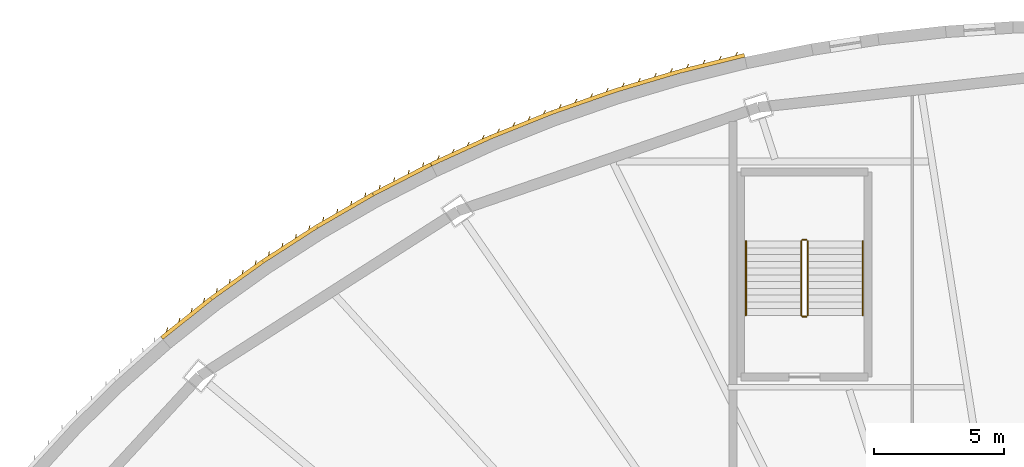
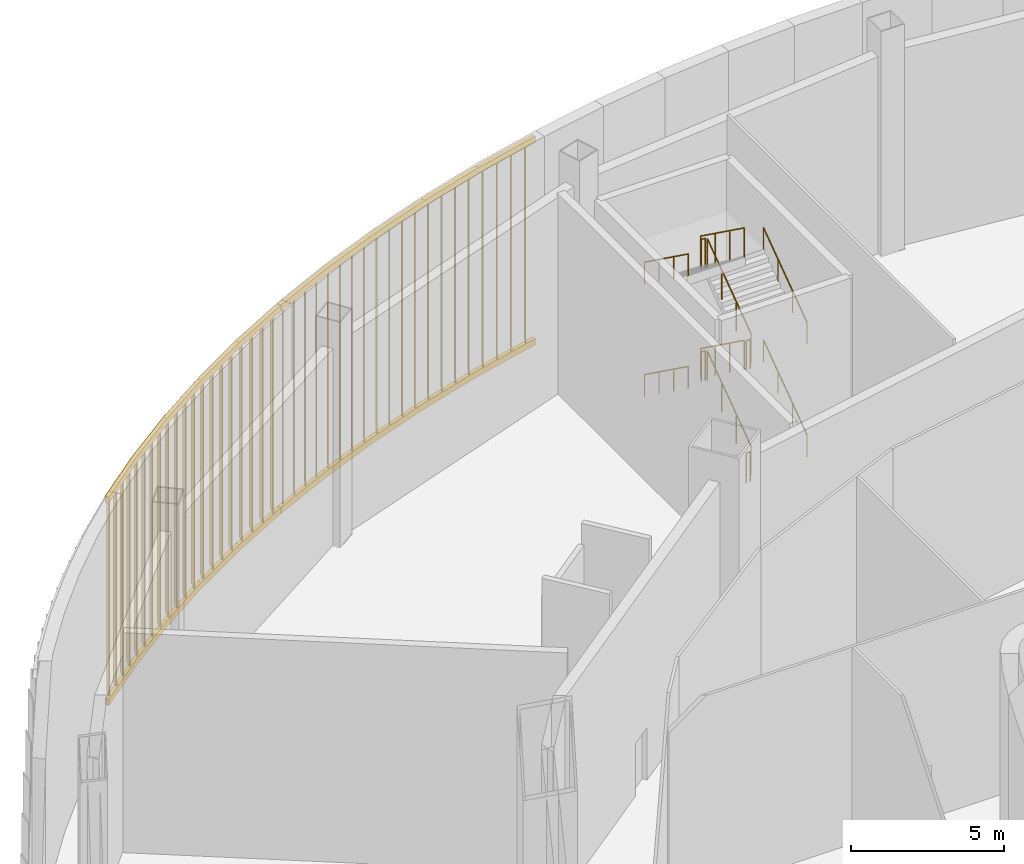
# One storey, part 33 of 35: 12 railings, 2 shading devices.
"""IFC4 building model written with IfcOpenShell, lengths in metres."""

from ifc_helpers import new_model, si_unit, direction, frame, origin, origin_2d, place, context, subcontext, project, spatial, rectangle, circle, extrude, material, type_object, element, save


model = new_model("IFC4")

# Units and contexts
model_context = context("Model", 3, precision=1e-05, world=origin(), true_north=direction((0.0, 1.0)))
body_context = subcontext(model_context, "Body", "Model", "MODEL_VIEW")
ifc_project = project(units=[si_unit("LENGTHUNIT", "METRE"), si_unit("AREAUNIT", "SQUARE_METRE"), si_unit("VOLUMEUNIT", "CUBIC_METRE"), si_unit("PLANEANGLEUNIT", "RADIAN"), si_unit("MASSUNIT", "GRAM", prefix="KILO")], contexts=[model_context])

# Site, building, storey
site_placement = place(None, origin())
site = spatial("IfcSite", under=ifc_project, at=site_placement, CompositionType="ELEMENT")
building_placement = place(site_placement, origin())
building = spatial("IfcBuilding", under=site, at=building_placement, Name="Sahrelin Media Tower", CompositionType="ELEMENT")
storey_placement = place(building_placement, frame((0.0, 0.0, 8.0)))
storey = spatial("IfcBuildingStorey", under=building, at=storey_placement, Name="L01", CompositionType="ELEMENT", Elevation=8.0)

# Railings
ifc_material_1 = material(Name="Steel S355", Category="steel")
railing_type_1 = type_object("IfcRailingType", Name="Stair guard 1200", PredefinedType="GUARDRAIL", material=ifc_material_1)
railing_1_placement = place(storey_placement, frame((-10.52490234375, 30.625, 0.1875)))
element("IfcRailing", 1, at=railing_1_placement, inside=storey, type_object=railing_type_1, Name="L01 PS2 stair guard 1", PredefinedType="GUARDRAIL", context=body_context, shape_type="SweptSolid", body=[
    extrude(circle(Radius=0.02392578125, at=origin_2d()), frame((0.0, 0.0, 1.17578125), z_axis=(0.0, 0.811100754333, 0.584906459462), x_axis=(-1.0, 0.0, 0.0)), (0.0, 0.0, 1.0), 3.526123046875),
    extrude(circle(Radius=0.02099609375, at=origin_2d()), origin(), (0.0, 0.0, 1.0), 1.15185546875),
    extrude(circle(Radius=0.02099609375, at=origin_2d()), frame((0.0, 0.953369140625, 0.6875)), (0.0, 0.0, 1.0), 1.15185546875),
    extrude(circle(Radius=0.02099609375, at=origin_2d()), frame((0.0, 1.90673828125, 1.375)), (0.0, 0.0, 1.0), 1.15185546875),
    extrude(circle(Radius=0.02099609375, at=origin_2d()), frame((0.0, 2.860107421875, 2.0625)), (0.0, 0.0, 1.0), 1.15185546875),
])
railing_2_placement = place(storey_placement, frame((-10.574951171875, 33.534912109375, 2.25)))
element("IfcRailing", 2, at=railing_2_placement, inside=storey, type_object=railing_type_1, Name="L01 PS2 stair guard 2", PredefinedType="GUARDRAIL", context=body_context, shape_type="SweptSolid", body=[
    extrude(circle(Radius=0.02392578125, at=origin_2d()), frame((0.0, 0.0, 1.17578125), z_axis=(-1.0, 0.0, 0.0), x_axis=(0.0, -1.0, 0.0)), (0.0, 0.0, 1.0), 0.150146484375),
    extrude(circle(Radius=0.02099609375, at=origin_2d()), origin(), (0.0, 0.0, 1.0), 1.15185546875),
    extrude(circle(Radius=0.02099609375, at=origin_2d()), frame((-0.150146484375, 0.0, 0.0)), (0.0, 0.0, 1.0), 1.15185546875),
])
railing_3_placement = place(storey_placement, frame((-10.77490234375, 33.485107421875, 2.4375)))
element("IfcRailing", 3, at=railing_3_placement, inside=storey, type_object=railing_type_1, Name="L01 PS2 stair guard 3", PredefinedType="GUARDRAIL", context=body_context, shape_type="SweptSolid", body=[
    extrude(circle(Radius=0.02392578125, at=origin_2d()), frame((0.0, 0.0, 1.17578125), z_axis=(0.0, -0.811100754333, 0.584906459462), x_axis=(1.0, 0.0, 0.0)), (0.0, 0.0, 1.0), 3.526123046875),
    extrude(circle(Radius=0.02099609375, at=origin_2d()), origin(), (0.0, 0.0, 1.0), 1.15185546875),
    extrude(circle(Radius=0.02099609375, at=origin_2d()), frame((0.0, -0.953369140625, 0.6875)), (0.0, 0.0, 1.0), 1.15185546875),
    extrude(circle(Radius=0.02099609375, at=origin_2d()), frame((0.0, -1.90673828125, 1.375)), (0.0, 0.0, 1.0), 1.15185546875),
    extrude(circle(Radius=0.02099609375, at=origin_2d()), frame((0.0, -2.860107421875, 2.0625)), (0.0, 0.0, 1.0), 1.15185546875),
])
railing_4_placement = place(storey_placement, frame((-10.574951171875, 30.574951171875, 4.5)))
element("IfcRailing", 4, at=railing_4_placement, inside=storey, type_object=railing_type_1, Name="L01 PS2 stair guard 4", PredefinedType="GUARDRAIL", context=body_context, shape_type="SweptSolid", body=[
    extrude(circle(Radius=0.02392578125, at=origin_2d()), frame((0.0, 0.0, 1.17578125), z_axis=(-1.0, 0.0, 0.0), x_axis=(0.0, -1.0, 0.0)), (0.0, 0.0, 1.0), 0.150146484375),
    extrude(circle(Radius=0.02099609375, at=origin_2d()), origin(), (0.0, 0.0, 1.0), 1.15185546875),
    extrude(circle(Radius=0.02099609375, at=origin_2d()), frame((-0.150146484375, 0.0, 0.0)), (0.0, 0.0, 1.0), 1.15185546875),
])
railing_5_placement = place(storey_placement, frame((-10.52490234375, 30.625, 4.6875)))
element("IfcRailing", 5, at=railing_5_placement, inside=storey, type_object=railing_type_1, Name="L01 PS2 stair guard 5", PredefinedType="GUARDRAIL", context=body_context, shape_type="SweptSolid", body=[
    extrude(circle(Radius=0.02392578125, at=origin_2d()), frame((0.0, 0.0, 1.17578125), z_axis=(0.0, 0.811100754333, 0.584906459462), x_axis=(-1.0, 0.0, 0.0)), (0.0, 0.0, 1.0), 3.526123046875),
    extrude(circle(Radius=0.02099609375, at=origin_2d()), origin(), (0.0, 0.0, 1.0), 1.15185546875),
    extrude(circle(Radius=0.02099609375, at=origin_2d()), frame((0.0, 0.953369140625, 0.6875)), (0.0, 0.0, 1.0), 1.15185546875),
    extrude(circle(Radius=0.02099609375, at=origin_2d()), frame((0.0, 1.90673828125, 1.375)), (0.0, 0.0, 1.0), 1.15185546875),
    extrude(circle(Radius=0.02099609375, at=origin_2d()), frame((0.0, 2.860107421875, 2.0625)), (0.0, 0.0, 1.0), 1.15185546875),
])
railing_6_placement = place(storey_placement, frame((-10.574951171875, 33.534912109375, 6.75)))
element("IfcRailing", 6, at=railing_6_placement, inside=storey, type_object=railing_type_1, Name="L01 PS2 stair guard 6", PredefinedType="GUARDRAIL", context=body_context, shape_type="SweptSolid", body=[
    extrude(circle(Radius=0.02392578125, at=origin_2d()), frame((0.0, 0.0, 1.17578125), z_axis=(-1.0, 0.0, 0.0), x_axis=(0.0, -1.0, 0.0)), (0.0, 0.0, 1.0), 0.150146484375),
    extrude(circle(Radius=0.02099609375, at=origin_2d()), origin(), (0.0, 0.0, 1.0), 1.15185546875),
    extrude(circle(Radius=0.02099609375, at=origin_2d()), frame((-0.150146484375, 0.0, 0.0)), (0.0, 0.0, 1.0), 1.15185546875),
])
railing_7_placement = place(storey_placement, frame((-10.77490234375, 33.485107421875, 6.9375)))
element("IfcRailing", 7, at=railing_7_placement, inside=storey, type_object=railing_type_1, Name="L01 PS2 stair guard 7", PredefinedType="GUARDRAIL", context=body_context, shape_type="SweptSolid", body=[
    extrude(circle(Radius=0.02392578125, at=origin_2d()), frame((0.0, 0.0, 1.17578125), z_axis=(0.0, -0.811100754333, 0.584906459462), x_axis=(1.0, 0.0, 0.0)), (0.0, 0.0, 1.0), 3.526123046875),
    extrude(circle(Radius=0.02099609375, at=origin_2d()), origin(), (0.0, 0.0, 1.0), 1.15185546875),
    extrude(circle(Radius=0.02099609375, at=origin_2d()), frame((0.0, -0.953369140625, 0.6875)), (0.0, 0.0, 1.0), 1.15185546875),
    extrude(circle(Radius=0.02099609375, at=origin_2d()), frame((0.0, -1.90673828125, 1.375)), (0.0, 0.0, 1.0), 1.15185546875),
    extrude(circle(Radius=0.02099609375, at=origin_2d()), frame((0.0, -2.860107421875, 2.0625)), (0.0, 0.0, 1.0), 1.15185546875),
])
railing_8_placement = place(storey_placement, frame((-10.574951171875, 30.574951171875, 0.0)))
element("IfcRailing", 8, at=railing_8_placement, inside=storey, type_object=railing_type_1, Name="L01 PS2 stair guard 8", PredefinedType="GUARDRAIL", context=body_context, shape_type="SweptSolid", body=[
    extrude(circle(Radius=0.02392578125, at=origin_2d()), frame((0.0, 0.0, 1.17578125), z_axis=(-1.0, 0.0, 0.0), x_axis=(0.0, -1.0, 0.0)), (0.0, 0.0, 1.0), 0.150146484375),
    extrude(circle(Radius=0.02099609375, at=origin_2d()), origin(), (0.0, 0.0, 1.0), 1.15185546875),
    extrude(circle(Radius=0.02099609375, at=origin_2d()), frame((-0.150146484375, 0.0, 0.0)), (0.0, 0.0, 1.0), 1.15185546875),
])
railing_type_2 = type_object("IfcRailingType", Name="Stair handrail 900", PredefinedType="HANDRAIL", material=ifc_material_1)
railing_9_placement = place(storey_placement, frame((-8.39990234375, 30.625, 0.1875)))
element("IfcRailing", 9, at=railing_9_placement, inside=storey, type_object=railing_type_2, Name="L01 PS2 stair handrail 1", PredefinedType="HANDRAIL", context=body_context, shape_type="SweptSolid", body=[
    extrude(circle(Radius=0.02392578125, at=origin_2d()), frame((0.0, 0.0, 0.8759765625), z_axis=(0.0, 0.811100754333, 0.584906459462), x_axis=(-1.0, 0.0, 0.0)), (0.0, 0.0, 1.0), 3.526123046875),
    extrude(circle(Radius=0.02099609375, at=origin_2d()), origin(), (0.0, 0.0, 1.0), 0.851806640625),
    extrude(circle(Radius=0.02099609375, at=origin_2d()), frame((0.0, 0.953369140625, 0.6875)), (0.0, 0.0, 1.0), 0.851806640625),
    extrude(circle(Radius=0.02099609375, at=origin_2d()), frame((0.0, 1.90673828125, 1.375)), (0.0, 0.0, 1.0), 0.851806640625),
    extrude(circle(Radius=0.02099609375, at=origin_2d()), frame((0.0, 2.860107421875, 2.0625)), (0.0, 0.0, 1.0), 0.851806640625),
])
railing_10_placement = place(storey_placement, frame((-12.89990234375, 33.485107421875, 2.4375)))
element("IfcRailing", 10, at=railing_10_placement, inside=storey, type_object=railing_type_2, Name="L01 PS2 stair handrail 2", PredefinedType="HANDRAIL", context=body_context, shape_type="SweptSolid", body=[
    extrude(circle(Radius=0.02392578125, at=origin_2d()), frame((0.0, 0.0, 0.8759765625), z_axis=(0.0, -0.811100754333, 0.584906459462), x_axis=(1.0, 0.0, 0.0)), (0.0, 0.0, 1.0), 3.526123046875),
    extrude(circle(Radius=0.02099609375, at=origin_2d()), origin(), (0.0, 0.0, 1.0), 0.851806640625),
    extrude(circle(Radius=0.02099609375, at=origin_2d()), frame((0.0, -0.953369140625, 0.6875)), (0.0, 0.0, 1.0), 0.851806640625),
    extrude(circle(Radius=0.02099609375, at=origin_2d()), frame((0.0, -1.90673828125, 1.375)), (0.0, 0.0, 1.0), 0.851806640625),
    extrude(circle(Radius=0.02099609375, at=origin_2d()), frame((0.0, -2.860107421875, 2.0625)), (0.0, 0.0, 1.0), 0.851806640625),
])
railing_11_placement = place(storey_placement, frame((-8.39990234375, 30.625, 4.6875)))
element("IfcRailing", 11, at=railing_11_placement, inside=storey, type_object=railing_type_2, Name="L01 PS2 stair handrail 3", PredefinedType="HANDRAIL", context=body_context, shape_type="SweptSolid", body=[
    extrude(circle(Radius=0.02392578125, at=origin_2d()), frame((0.0, 0.0, 0.8759765625), z_axis=(0.0, 0.811100754333, 0.584906459462), x_axis=(-1.0, 0.0, 0.0)), (0.0, 0.0, 1.0), 3.526123046875),
    extrude(circle(Radius=0.02099609375, at=origin_2d()), origin(), (0.0, 0.0, 1.0), 0.851806640625),
    extrude(circle(Radius=0.02099609375, at=origin_2d()), frame((0.0, 0.953369140625, 0.6875)), (0.0, 0.0, 1.0), 0.851806640625),
    extrude(circle(Radius=0.02099609375, at=origin_2d()), frame((0.0, 1.90673828125, 1.375)), (0.0, 0.0, 1.0), 0.851806640625),
    extrude(circle(Radius=0.02099609375, at=origin_2d()), frame((0.0, 2.860107421875, 2.0625)), (0.0, 0.0, 1.0), 0.851806640625),
])
railing_12_placement = place(storey_placement, frame((-12.89990234375, 33.485107421875, 6.9375)))
element("IfcRailing", 12, at=railing_12_placement, inside=storey, type_object=railing_type_2, Name="L01 PS2 stair handrail 4", PredefinedType="HANDRAIL", context=body_context, shape_type="SweptSolid", body=[
    extrude(circle(Radius=0.02392578125, at=origin_2d()), frame((0.0, 0.0, 0.8759765625), z_axis=(0.0, -0.811100754333, 0.584906459462), x_axis=(1.0, 0.0, 0.0)), (0.0, 0.0, 1.0), 3.526123046875),
    extrude(circle(Radius=0.02099609375, at=origin_2d()), origin(), (0.0, 0.0, 1.0), 0.851806640625),
    extrude(circle(Radius=0.02099609375, at=origin_2d()), frame((0.0, -0.953369140625, 0.6875)), (0.0, 0.0, 1.0), 0.851806640625),
    extrude(circle(Radius=0.02099609375, at=origin_2d()), frame((0.0, -1.90673828125, 1.375)), (0.0, 0.0, 1.0), 0.851806640625),
    extrude(circle(Radius=0.02099609375, at=origin_2d()), frame((0.0, -2.860107421875, 2.0625)), (0.0, 0.0, 1.0), 0.851806640625),
])

# Shading devices
ifc_material_2 = material(Name="Champagne anodised aluminium 6063-T6", Category="aluminium")
shading_device_type = type_object("IfcShadingDeviceType", Name="Studio facade screen", PredefinedType="USERDEFINED", material=ifc_material_2)
shading_device_1_placement = place(storey_placement, frame((-12.94091796875, 40.56884765625, 0.0), z_axis=(0.0, 0.0, 1.0), x_axis=(0.944472511528, 0.328590436515, 0.0)))
element("IfcShadingDevice", 13, at=shading_device_1_placement, inside=storey, type_object=shading_device_type, Name="L01:SCREEN:L01-P07", ObjectType="SCREEN", PredefinedType="USERDEFINED", context=body_context, shape_type="SweptSolid", body=[
    extrude(rectangle(XDim=0.14990234375, YDim=0.25, at=origin_2d()), frame((0.0068359375, 0.07470703125, 0.35009765625), z_axis=(-0.995868409854, 0.090808095761, 0.0), x_axis=(-0.090808095761, -0.995868409854, 0.0)), (0.0, 0.0, 1.0), 2.58642578125),
    extrude(rectangle(XDim=0.14990234375, YDim=0.25, at=origin_2d()), frame((0.0068359375, 0.07470703125, 8.449951171875), z_axis=(-0.995868409854, 0.090808095761, 0.0), x_axis=(-0.090808095761, -0.995868409854, 0.0)), (0.0, 0.0, 1.0), 2.58642578125),
    extrude(rectangle(XDim=0.300048828125, YDim=0.0400390625, at=origin_2d()), frame((-0.308349609375, 0.1787109375, 0.47509765625), z_axis=(0.0, 0.0, 1.0), x_axis=(0.707106781187, 0.707106781187, 0.0)), (0.0, 0.0, 1.0), 7.849853515625),
    extrude(rectangle(XDim=0.300048828125, YDim=0.0400390625, at=origin_2d()), frame((-0.9521484375, 0.237548828125, 0.47509765625), z_axis=(0.0, 0.0, 1.0), x_axis=(0.707106781187, 0.707106781187, 0.0)), (0.0, 0.0, 1.0), 7.849853515625),
    extrude(rectangle(XDim=0.300048828125, YDim=0.0400390625, at=origin_2d()), frame((-1.59619140625, 0.296142578125, 0.47509765625), z_axis=(0.0, 0.0, 1.0), x_axis=(0.707106781187, 0.707106781187, 0.0)), (0.0, 0.0, 1.0), 7.849853515625),
    extrude(rectangle(XDim=0.300048828125, YDim=0.0400390625, at=origin_2d()), frame((-2.239990234375, 0.35498046875, 0.47509765625), z_axis=(0.0, 0.0, 1.0), x_axis=(0.707106781187, 0.707106781187, 0.0)), (0.0, 0.0, 1.0), 7.849853515625),
    extrude(rectangle(XDim=0.14990234375, YDim=0.25, at=origin_2d()), frame((-2.572265625, 0.309814453125, 0.35009765625), z_axis=(-0.998954807811, 0.045708773245, 0.0), x_axis=(-0.045708773245, -0.998954807811, 0.0)), (0.0, 0.0, 1.0), 2.574462890625),
    extrude(rectangle(XDim=0.14990234375, YDim=0.25, at=origin_2d()), frame((-2.572265625, 0.309814453125, 8.449951171875), z_axis=(-0.998954807811, 0.045708773245, 0.0), x_axis=(-0.045708773245, -0.998954807811, 0.0)), (0.0, 0.0, 1.0), 2.574462890625),
    extrude(rectangle(XDim=0.300048828125, YDim=0.0400390625, at=origin_2d()), frame((-2.890380859375, 0.3994140625, 0.47509765625), z_axis=(0.0, 0.0, 1.0), x_axis=(0.707106781187, 0.707106781187, 0.0)), (0.0, 0.0, 1.0), 7.849853515625),
    extrude(rectangle(XDim=0.300048828125, YDim=0.0400390625, at=origin_2d()), frame((-3.533203125, 0.428955078125, 0.47509765625), z_axis=(0.0, 0.0, 1.0), x_axis=(0.707106781187, 0.707106781187, 0.0)), (0.0, 0.0, 1.0), 7.849853515625),
    extrude(rectangle(XDim=0.300048828125, YDim=0.0400390625, at=origin_2d()), frame((-4.176025390625, 0.458251953125, 0.47509765625), z_axis=(0.0, 0.0, 1.0), x_axis=(0.707106781187, 0.707106781187, 0.0)), (0.0, 0.0, 1.0), 7.849853515625),
    extrude(rectangle(XDim=0.300048828125, YDim=0.0400390625, at=origin_2d()), frame((-4.819091796875, 0.48779296875, 0.47509765625), z_axis=(0.0, 0.0, 1.0), x_axis=(0.707106781187, 0.707106781187, 0.0)), (0.0, 0.0, 1.0), 7.849853515625),
    extrude(rectangle(XDim=0.14990234375, YDim=0.25, at=origin_2d()), frame((-5.1474609375, 0.427490234375, 0.35009765625), z_axis=(-1.0, 0.0, 0.0), x_axis=(0.0, -1.0, 0.0)), (0.0, 0.0, 1.0), 2.560546875),
    extrude(rectangle(XDim=0.14990234375, YDim=0.25, at=origin_2d()), frame((-5.1474609375, 0.427490234375, 8.449951171875), z_axis=(-1.0, 0.0, 0.0), x_axis=(0.0, -1.0, 0.0)), (0.0, 0.0, 1.0), 2.560546875),
    extrude(rectangle(XDim=0.300048828125, YDim=0.0400390625, at=origin_2d()), frame((-5.467529296875, 0.502685546875, 0.47509765625), z_axis=(0.0, 0.0, 1.0), x_axis=(0.707106781187, 0.707106781187, 0.0)), (0.0, 0.0, 1.0), 7.849853515625),
    extrude(rectangle(XDim=0.300048828125, YDim=0.0400390625, at=origin_2d()), frame((-6.107666015625, 0.502685546875, 0.47509765625), z_axis=(0.0, 0.0, 1.0), x_axis=(0.707106781187, 0.707106781187, 0.0)), (0.0, 0.0, 1.0), 7.849853515625),
    extrude(rectangle(XDim=0.300048828125, YDim=0.0400390625, at=origin_2d()), frame((-6.747802734375, 0.502685546875, 0.47509765625), z_axis=(0.0, 0.0, 1.0), x_axis=(0.707106781187, 0.707106781187, 0.0)), (0.0, 0.0, 1.0), 7.849853515625),
    extrude(rectangle(XDim=0.300048828125, YDim=0.0400390625, at=origin_2d()), frame((-7.387939453125, 0.502685546875, 0.47509765625), z_axis=(0.0, 0.0, 1.0), x_axis=(0.707106781187, 0.707106781187, 0.0)), (0.0, 0.0, 1.0), 7.849853515625),
    extrude(rectangle(XDim=0.14990234375, YDim=0.25, at=origin_2d()), frame((-7.71142578125, 0.427490234375, 0.35009765625), z_axis=(-0.998930620484, -0.046234353666, 0.0), x_axis=(0.046234353666, -0.998930620484, 0.0)), (0.0, 0.0, 1.0), 2.545166015625),
    extrude(rectangle(XDim=0.14990234375, YDim=0.25, at=origin_2d()), frame((-7.71142578125, 0.427490234375, 8.449951171875), z_axis=(-0.998930620484, -0.046234353666, 0.0), x_axis=(0.046234353666, -0.998930620484, 0.0)), (0.0, 0.0, 1.0), 2.545166015625),
    extrude(rectangle(XDim=0.300048828125, YDim=0.0400390625, at=origin_2d()), frame((-8.03271484375, 0.48779296875, 0.47509765625), z_axis=(0.0, 0.0, 1.0), x_axis=(0.707106781187, 0.707106781187, 0.0)), (0.0, 0.0, 1.0), 7.849853515625),
    extrude(rectangle(XDim=0.300048828125, YDim=0.0400390625, at=origin_2d()), frame((-8.66845703125, 0.458251953125, 0.47509765625), z_axis=(0.0, 0.0, 1.0), x_axis=(0.707106781187, 0.707106781187, 0.0)), (0.0, 0.0, 1.0), 7.849853515625),
    extrude(rectangle(XDim=0.300048828125, YDim=0.0400390625, at=origin_2d()), frame((-9.303955078125, 0.428955078125, 0.47509765625), z_axis=(0.0, 0.0, 1.0), x_axis=(0.707106781187, 0.707106781187, 0.0)), (0.0, 0.0, 1.0), 7.849853515625),
    extrude(rectangle(XDim=0.300048828125, YDim=0.0400390625, at=origin_2d()), frame((-9.939697265625, 0.3994140625, 0.47509765625), z_axis=(0.0, 0.0, 1.0), x_axis=(0.707106781187, 0.707106781187, 0.0)), (0.0, 0.0, 1.0), 7.849853515625),
    extrude(rectangle(XDim=0.14990234375, YDim=0.25, at=origin_2d()), frame((-10.257568359375, 0.3095703125, 0.35009765625), z_axis=(-0.995676744861, -0.092886057851, 0.0), x_axis=(0.092886057851, -0.995676744861, 0.0)), (0.0, 0.0, 1.0), 2.528564453125),
    extrude(rectangle(XDim=0.14990234375, YDim=0.25, at=origin_2d()), frame((-10.257568359375, 0.3095703125, 8.449951171875), z_axis=(-0.995676744861, -0.092886057851, 0.0), x_axis=(0.092886057851, -0.995676744861, 0.0)), (0.0, 0.0, 1.0), 2.528564453125),
    extrude(rectangle(XDim=0.300048828125, YDim=0.0400390625, at=origin_2d()), frame((-10.5791015625, 0.35498046875, 0.47509765625), z_axis=(0.0, 0.0, 1.0), x_axis=(0.707106781187, 0.707106781187, 0.0)), (0.0, 0.0, 1.0), 7.849853515625),
    extrude(rectangle(XDim=0.300048828125, YDim=0.0400390625, at=origin_2d()), frame((-11.20849609375, 0.296142578125, 0.47509765625), z_axis=(0.0, 0.0, 1.0), x_axis=(0.707106781187, 0.707106781187, 0.0)), (0.0, 0.0, 1.0), 7.849853515625),
    extrude(rectangle(XDim=0.300048828125, YDim=0.0400390625, at=origin_2d()), frame((-11.837890625, 0.237548828125, 0.47509765625), z_axis=(0.0, 0.0, 1.0), x_axis=(0.707106781187, 0.707106781187, 0.0)), (0.0, 0.0, 1.0), 7.849853515625),
    extrude(rectangle(XDim=0.300048828125, YDim=0.0400390625, at=origin_2d()), frame((-12.46728515625, 0.1787109375, 0.47509765625), z_axis=(0.0, 0.0, 1.0), x_axis=(0.707106781187, 0.707106781187, 0.0)), (0.0, 0.0, 1.0), 7.849853515625),
])
shading_device_2_placement = place(storey_placement, frame((-25.0, 36.373046875, 0.0), z_axis=(0.0, 0.0, 1.0), x_axis=(0.840505257377, 0.541803388991, 0.0)))
element("IfcShadingDevice", 14, at=shading_device_2_placement, inside=storey, type_object=shading_device_type, Name="L01:SCREEN:L01-P08", ObjectType="SCREEN", PredefinedType="USERDEFINED", context=body_context, shape_type="SweptSolid", body=[
    extrude(rectangle(XDim=0.14990234375, YDim=0.25, at=origin_2d()), frame((0.00732421875, 0.07470703125, 0.35009765625), z_axis=(-0.995288149156, 0.096961333272, 0.0), x_axis=(-0.096961333272, -0.995288149156, 0.0)), (0.0, 0.0, 1.0), 2.51025390625),
    extrude(rectangle(XDim=0.14990234375, YDim=0.25, at=origin_2d()), frame((0.00732421875, 0.07470703125, 8.449951171875), z_axis=(-0.995288149156, 0.096961333272, 0.0), x_axis=(-0.096961333272, -0.995288149156, 0.0)), (0.0, 0.0, 1.0), 2.51025390625),
    extrude(rectangle(XDim=0.300048828125, YDim=0.0400390625, at=origin_2d()), frame((-0.2978515625, 0.1796875, 0.47509765625), z_axis=(0.0, 0.0, 1.0), x_axis=(0.707106781187, 0.707106781187, 0.0)), (0.0, 0.0, 1.0), 7.849853515625),
    extrude(rectangle(XDim=0.300048828125, YDim=0.0400390625, at=origin_2d()), frame((-0.92236328125, 0.240478515625, 0.47509765625), z_axis=(0.0, 0.0, 1.0), x_axis=(0.707106781187, 0.707106781187, 0.0)), (0.0, 0.0, 1.0), 7.849853515625),
    extrude(rectangle(XDim=0.300048828125, YDim=0.0400390625, at=origin_2d()), frame((-1.547119140625, 0.301513671875, 0.47509765625), z_axis=(0.0, 0.0, 1.0), x_axis=(0.707106781187, 0.707106781187, 0.0)), (0.0, 0.0, 1.0), 7.849853515625),
    extrude(rectangle(XDim=0.300048828125, YDim=0.0400390625, at=origin_2d()), frame((-2.171630859375, 0.3623046875, 0.47509765625), z_axis=(0.0, 0.0, 1.0), x_axis=(0.707106781187, 0.707106781187, 0.0)), (0.0, 0.0, 1.0), 7.849853515625),
    extrude(rectangle(XDim=0.14990234375, YDim=0.25, at=origin_2d()), frame((-2.494873046875, 0.318603515625, 0.35009765625), z_axis=(-0.99880815952, 0.048808405793, 0.0), x_axis=(-0.048808405793, -0.99880815952, 0.0)), (0.0, 0.0, 1.0), 2.490966796875),
    extrude(rectangle(XDim=0.14990234375, YDim=0.25, at=origin_2d()), frame((-2.494873046875, 0.318603515625, 8.449951171875), z_axis=(-0.99880815952, 0.048808405793, 0.0), x_axis=(-0.048808405793, -0.99880815952, 0.0)), (0.0, 0.0, 1.0), 2.490966796875),
    extrude(rectangle(XDim=0.300048828125, YDim=0.0400390625, at=origin_2d()), frame((-2.80224609375, 0.40869140625, 0.47509765625), z_axis=(0.0, 0.0, 1.0), x_axis=(0.707106781187, 0.707106781187, 0.0)), (0.0, 0.0, 1.0), 7.849853515625),
    extrude(rectangle(XDim=0.300048828125, YDim=0.0400390625, at=origin_2d()), frame((-3.42431640625, 0.439208984375, 0.47509765625), z_axis=(0.0, 0.0, 1.0), x_axis=(0.707106781187, 0.707106781187, 0.0)), (0.0, 0.0, 1.0), 7.849853515625),
    extrude(rectangle(XDim=0.300048828125, YDim=0.0400390625, at=origin_2d()), frame((-4.046142578125, 0.469482421875, 0.47509765625), z_axis=(0.0, 0.0, 1.0), x_axis=(0.707106781187, 0.707106781187, 0.0)), (0.0, 0.0, 1.0), 7.849853515625),
    extrude(rectangle(XDim=0.300048828125, YDim=0.0400390625, at=origin_2d()), frame((-4.668212890625, 0.5, 0.47509765625), z_axis=(0.0, 0.0, 1.0), x_axis=(0.707106781187, 0.707106781187, 0.0)), (0.0, 0.0, 1.0), 7.849853515625),
    extrude(rectangle(XDim=0.14990234375, YDim=0.25, at=origin_2d()), frame((-4.986572265625, 0.4404296875, 0.35009765625), z_axis=(-1.0, 0.0, 0.0), x_axis=(0.0, -1.0, 0.0)), (0.0, 0.0, 1.0), 2.470703125),
    extrude(rectangle(XDim=0.14990234375, YDim=0.25, at=origin_2d()), frame((-4.986572265625, 0.4404296875, 8.449951171875), z_axis=(-1.0, 0.0, 0.0), x_axis=(0.0, -1.0, 0.0)), (0.0, 0.0, 1.0), 2.470703125),
    extrude(rectangle(XDim=0.300048828125, YDim=0.0400390625, at=origin_2d()), frame((-5.29541015625, 0.515380859375, 0.47509765625), z_axis=(0.0, 0.0, 1.0), x_axis=(0.707106781187, 0.707106781187, 0.0)), (0.0, 0.0, 1.0), 7.849853515625),
    extrude(rectangle(XDim=0.300048828125, YDim=0.0400390625, at=origin_2d()), frame((-5.9130859375, 0.515380859375, 0.47509765625), z_axis=(0.0, 0.0, 1.0), x_axis=(0.707106781187, 0.707106781187, 0.0)), (0.0, 0.0, 1.0), 7.849853515625),
    extrude(rectangle(XDim=0.300048828125, YDim=0.0400390625, at=origin_2d()), frame((-6.53076171875, 0.515380859375, 0.47509765625), z_axis=(0.0, 0.0, 1.0), x_axis=(0.707106781187, 0.707106781187, 0.0)), (0.0, 0.0, 1.0), 7.849853515625),
    extrude(rectangle(XDim=0.300048828125, YDim=0.0400390625, at=origin_2d()), frame((-7.1484375, 0.515380859375, 0.47509765625), z_axis=(0.0, 0.0, 1.0), x_axis=(0.707106781187, 0.707106781187, 0.0)), (0.0, 0.0, 1.0), 7.849853515625),
    extrude(rectangle(XDim=0.14990234375, YDim=0.25, at=origin_2d()), frame((-7.4609375, 0.440185546875, 0.35009765625), z_axis=(-0.998762754954, -0.049728857985, 0.0), x_axis=(0.049728857985, -0.998762754954, 0.0)), (0.0, 0.0, 1.0), 2.44970703125),
    extrude(rectangle(XDim=0.14990234375, YDim=0.25, at=origin_2d()), frame((-7.4609375, 0.440185546875, 8.449951171875), z_axis=(-0.998762754954, -0.049728857985, 0.0), x_axis=(0.049728857985, -0.998762754954, 0.0)), (0.0, 0.0, 1.0), 2.44970703125),
    extrude(rectangle(XDim=0.300048828125, YDim=0.0400390625, at=origin_2d()), frame((-7.7705078125, 0.5, 0.47509765625), z_axis=(0.0, 0.0, 1.0), x_axis=(0.707106781187, 0.707106781187, 0.0)), (0.0, 0.0, 1.0), 7.849853515625),
    extrude(rectangle(XDim=0.300048828125, YDim=0.0400390625, at=origin_2d()), frame((-8.38232421875, 0.469482421875, 0.47509765625), z_axis=(0.0, 0.0, 1.0), x_axis=(0.707106781187, 0.707106781187, 0.0)), (0.0, 0.0, 1.0), 7.849853515625),
    extrude(rectangle(XDim=0.300048828125, YDim=0.0400390625, at=origin_2d()), frame((-8.993896484375, 0.43896484375, 0.47509765625), z_axis=(0.0, 0.0, 1.0), x_axis=(0.707106781187, 0.707106781187, 0.0)), (0.0, 0.0, 1.0), 7.849853515625),
    extrude(rectangle(XDim=0.300048828125, YDim=0.0400390625, at=origin_2d()), frame((-9.605712890625, 0.40869140625, 0.47509765625), z_axis=(0.0, 0.0, 1.0), x_axis=(0.707106781187, 0.707106781187, 0.0)), (0.0, 0.0, 1.0), 7.849853515625),
    extrude(rectangle(XDim=0.14990234375, YDim=0.25, at=origin_2d()), frame((-9.91162109375, 0.318115234375, 0.35009765625), z_axis=(-0.994962242717, -0.100250364425, 0.0), x_axis=(0.100250364425, -0.994962242717, 0.0)), (0.0, 0.0, 1.0), 2.427978515625),
    extrude(rectangle(XDim=0.14990234375, YDim=0.25, at=origin_2d()), frame((-9.91162109375, 0.318115234375, 8.449951171875), z_axis=(-0.994962242717, -0.100250364425, 0.0), x_axis=(0.100250364425, -0.994962242717, 0.0)), (0.0, 0.0, 1.0), 2.427978515625),
    extrude(rectangle(XDim=0.300048828125, YDim=0.0400390625, at=origin_2d()), frame((-10.220947265625, 0.3623046875, 0.47509765625), z_axis=(0.0, 0.0, 1.0), x_axis=(0.707106781187, 0.707106781187, 0.0)), (0.0, 0.0, 1.0), 7.849853515625),
    extrude(rectangle(XDim=0.300048828125, YDim=0.0400390625, at=origin_2d()), frame((-10.824951171875, 0.301513671875, 0.47509765625), z_axis=(0.0, 0.0, 1.0), x_axis=(0.707106781187, 0.707106781187, 0.0)), (0.0, 0.0, 1.0), 7.849853515625),
    extrude(rectangle(XDim=0.300048828125, YDim=0.0400390625, at=origin_2d()), frame((-11.428955078125, 0.240478515625, 0.47509765625), z_axis=(0.0, 0.0, 1.0), x_axis=(0.707106781187, 0.707106781187, 0.0)), (0.0, 0.0, 1.0), 7.849853515625),
    extrude(rectangle(XDim=0.300048828125, YDim=0.0400390625, at=origin_2d()), frame((-12.032958984375, 0.1796875, 0.47509765625), z_axis=(0.0, 0.0, 1.0), x_axis=(0.707106781187, 0.707106781187, 0.0)), (0.0, 0.0, 1.0), 7.849853515625),
])

save(model, "model.ifc")
